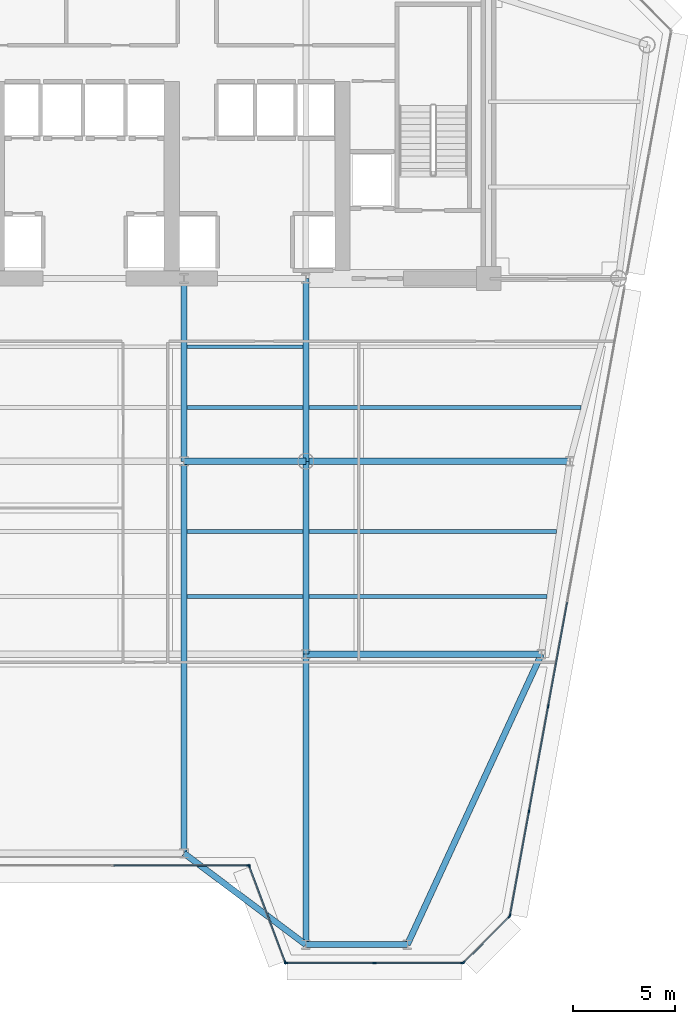
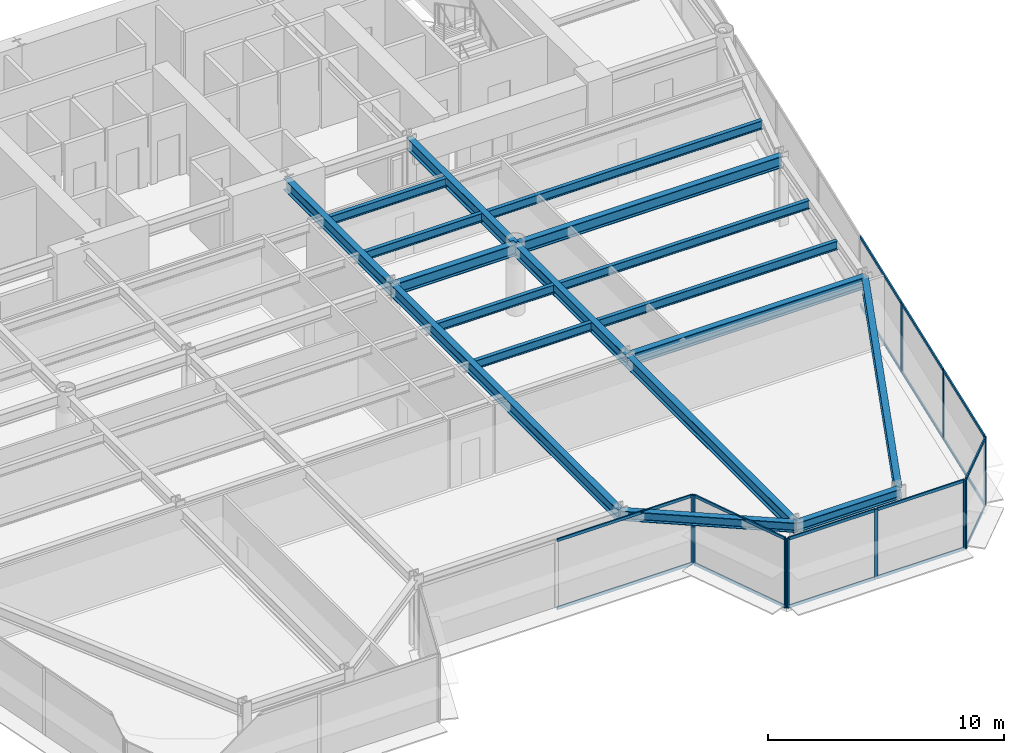
# One storey, part 5 of 17: 27 members, 18 beams, 5 elements without a shape of their own.
"""IFC4 building model written with IfcOpenShell, lengths in metres."""

from ifc_helpers import new_model, si_unit, direction, frame, origin, origin_2d, place, context, subcontext, project, spatial, rectangle, i_section, extrude, source, transform, mapped, material, layer, layer_set, material_profile, profile_set, type_object, element, aggregate, save


model = new_model("IFC4")

# Units and contexts
model_context = context("Model", 3, precision=1e-05, world=origin(), true_north=direction((0.0, 1.0)))
body_context = subcontext(model_context, "Body", "Model", "MODEL_VIEW")
ifc_project = project(units=[si_unit("LENGTHUNIT", "METRE"), si_unit("AREAUNIT", "SQUARE_METRE"), si_unit("VOLUMEUNIT", "CUBIC_METRE"), si_unit("PLANEANGLEUNIT", "RADIAN"), si_unit("MASSUNIT", "GRAM", prefix="KILO")], contexts=[model_context])

# Site, building, storey
site_placement = place(None, origin())
site = spatial("IfcSite", under=ifc_project, at=site_placement, CompositionType="ELEMENT")
building_placement = place(site_placement, origin())
building = spatial("IfcBuilding", under=site, at=building_placement, Name="Vaeldorn Concourse Tower", CompositionType="ELEMENT")
storey_placement = place(building_placement, frame((0.0, 0.0, 165.199951171875)))
storey = spatial("IfcBuildingStorey", under=building, at=storey_placement, Name="L42", CompositionType="ELEMENT", Elevation=165.199951171875)

# Beams
ifc_material_1 = material(Name="Steel S355", Category="steel")
ifc_material_profile_1 = material_profile(ifc_material_1, i_section(OverallWidth=0.300048828125, OverallDepth=0.5, WebThickness=0.014404296875, FlangeThickness=0.028076171875, FilletRadius=0.027099609375, at=origin_2d()), Name="HEB 500")
ifc_profile_set_1 = profile_set([ifc_material_profile_1], Name="Steel S355")
beam_type_1 = type_object("IfcBeamType", Name="BM-SP-HEB500", PredefinedType="SPANDREL", material=ifc_profile_set_1)
shared_shape_1 = source(origin(), body_context, "Body", "SweptSolid", [
    extrude(i_section(OverallWidth=0.300048828125, OverallDepth=0.5, WebThickness=0.014404296875, FlangeThickness=0.028076171875, FilletRadius=0.027099609375, at=origin_2d()), origin(), (0.0, 0.0, 1.0), 5.0),
])
beam_1_placement = place(storey_placement, frame((45.0, 3.699951171875, 3.330078125), z_axis=(1.0, 0.0, 0.0), x_axis=(0.0, 1.0, 0.0)))
element("IfcBeam", 1, at=beam_1_placement, inside=storey, type_object=beam_type_1, Name="Beam BM-L42-C-SF5-C-SF6", PredefinedType="SPANDREL", context=body_context, shape_type="MappedRepresentation", body=[
    mapped(shared_shape_1, transform((0.0, 0.0, 0.0), scale=1.0)),
])
shared_shape_2 = source(origin(), body_context, "Body", "SweptSolid", [
    extrude(i_section(OverallWidth=0.300048828125, OverallDepth=0.5, WebThickness=0.014404296875, FlangeThickness=0.028076171875, FilletRadius=0.027099609375, at=origin_2d()), origin(), (0.0, 0.0, 1.0), 7.5),
])
beam_2_placement = place(storey_placement, frame((39.0, 8.199951171875, 3.330078125), z_axis=(0.8, -0.6, 0.0), x_axis=(0.6, 0.8, 0.0)))
element("IfcBeam", 2, at=beam_2_placement, inside=storey, type_object=beam_type_1, Name="Beam BM-L42-C-SF4-C-SF5", PredefinedType="SPANDREL", context=body_context, shape_type="MappedRepresentation", body=[
    mapped(shared_shape_2, transform((0.0, 0.0, 0.0), scale=1.0)),
])
ifc_material_profile_2 = material_profile(ifc_material_1, i_section(OverallWidth=0.18994140625, OverallDepth=0.449951171875, WebThickness=0.009521484375, FlangeThickness=0.0146484375, FilletRadius=0.02099609375, at=origin_2d()), Name="IPE 450")
ifc_profile_set_2 = profile_set([ifc_material_profile_2], Name="Steel S355")
beam_type_2 = type_object("IfcBeamType", Name="BM-JS-IPE450", PredefinedType="JOIST", material=ifc_profile_set_2)
shared_shape_3 = source(origin(), body_context, "Body", "SweptSolid", [
    extrude(i_section(OverallWidth=0.18994140625, OverallDepth=0.449951171875, WebThickness=0.009521484375, FlangeThickness=0.0146484375, FilletRadius=0.02099609375, at=origin_2d()), origin(), (0.0, 0.0, 1.0), 11.718505859375),
])
beam_3_placement = place(storey_placement, frame((45.14990234375, 20.840087890625, 3.35498046875), z_axis=(1.0, 0.0, 0.0), x_axis=(0.0, 1.0, 0.0)))
element("IfcBeam", 3, at=beam_3_placement, inside=storey, type_object=beam_type_2, Name="Beam JS-L42-E1-208", PredefinedType="JOIST", context=body_context, shape_type="MappedRepresentation", body=[
    mapped(shared_shape_3, transform((0.0, 0.0, 0.0), scale=1.0)),
])
shared_shape_4 = source(origin(), body_context, "Body", "SweptSolid", [
    extrude(i_section(OverallWidth=0.18994140625, OverallDepth=0.449951171875, WebThickness=0.009521484375, FlangeThickness=0.0146484375, FilletRadius=0.02099609375, at=origin_2d()), origin(), (0.0, 0.0, 1.0), 5.7001953125),
])
for number, where, z_axis, x_axis, name in (
    (4, (39.14990234375, 20.840087890625, 3.35498046875), (1.0, 0.0, 0.0), (0.0, 1.0, 0.0), "Beam JS-L42-E2-208"),
    (5, (39.14990234375, 24.0400390625, 3.35498046875), (1.0, 0.0, 0.0), (0.0, 1.0, 0.0), "Beam JS-L42-E2-240"),
    (6, (39.14990234375, 30.139892578125, 3.35498046875), (1.0, 0.0, 0.0), (0.0, 1.0, 0.0), "Beam JS-L42-E2-301"),
    (7, (39.14990234375, 33.139892578125, 3.35498046875), (1.0, 0.0, 0.0), (0.0, 1.0, 0.0), "Beam JS-L42-E2-331"),
):
    element("IfcBeam", number, at=place(storey_placement, frame(where, z_axis=z_axis, x_axis=x_axis)), inside=storey, type_object=beam_type_2, Name=name, PredefinedType="JOIST", context=body_context, shape_type="MappedRepresentation", body=[
        mapped(shared_shape_4, transform((0.0, 0.0, 0.0), scale=1.0)),
    ])
shared_shape_5 = source(origin(), body_context, "Body", "SweptSolid", [
    extrude(i_section(OverallWidth=0.18994140625, OverallDepth=0.449951171875, WebThickness=0.009521484375, FlangeThickness=0.0146484375, FilletRadius=0.02099609375, at=origin_2d()), origin(), (0.0, 0.0, 1.0), 12.190185546875),
])
beam_4_placement = place(storey_placement, frame((45.14990234375, 24.0400390625, 3.35498046875), z_axis=(1.0, 0.0, 0.0), x_axis=(0.0, 1.0, 0.0)))
element("IfcBeam", 8, at=beam_4_placement, inside=storey, type_object=beam_type_2, Name="Beam JS-L42-E1-240", PredefinedType="JOIST", context=body_context, shape_type="MappedRepresentation", body=[
    mapped(shared_shape_5, transform((0.0, 0.0, 0.0), scale=1.0)),
])
shared_shape_6 = source(origin(), body_context, "Body", "SweptSolid", [
    extrude(i_section(OverallWidth=0.18994140625, OverallDepth=0.449951171875, WebThickness=0.009521484375, FlangeThickness=0.0146484375, FilletRadius=0.02099609375, at=origin_2d()), origin(), (0.0, 0.0, 1.0), 13.404052734375),
])
beam_5_placement = place(storey_placement, frame((45.14990234375, 30.139892578125, 3.35498046875), z_axis=(1.0, 0.0, 0.0), x_axis=(0.0, 1.0, 0.0)))
element("IfcBeam", 9, at=beam_5_placement, inside=storey, type_object=beam_type_2, Name="Beam JS-L42-E1-301", PredefinedType="JOIST", context=body_context, shape_type="MappedRepresentation", body=[
    mapped(shared_shape_6, transform((0.0, 0.0, 0.0), scale=1.0)),
])
ifc_material_profile_3 = material_profile(ifc_material_1, i_section(OverallWidth=0.300048828125, OverallDepth=0.60009765625, WebThickness=0.015380859375, FlangeThickness=0.030029296875, FilletRadius=0.027099609375, at=origin_2d()), Name="HEB 600")
ifc_profile_set_3 = profile_set([ifc_material_profile_3], Name="Steel S355")
beam_type_3 = type_object("IfcBeamType", Name="BM-PG-HEB600", PredefinedType="BEAM", material=ifc_profile_set_3)
shared_shape_7 = source(origin(), body_context, "Body", "SweptSolid", [
    extrude(i_section(OverallWidth=0.300048828125, OverallDepth=0.60009765625, WebThickness=0.015380859375, FlangeThickness=0.030029296875, FilletRadius=0.027099609375, at=origin_2d()), origin(), (0.0, 0.0, 1.0), 6.0),
])
beam_6_placement = place(storey_placement, frame((39.0, 27.5, 3.280029296875), z_axis=(1.0, 0.0, 0.0), x_axis=(0.0, 1.0, 0.0)))
element("IfcBeam", 10, at=beam_6_placement, inside=storey, type_object=beam_type_3, Name="Beam BM-L42-C-TW3-C-TW4", PredefinedType="BEAM", context=body_context, shape_type="MappedRepresentation", body=[
    mapped(shared_shape_7, transform((0.0, 0.0, 0.0), scale=1.0)),
])
shared_shape_8 = source(origin(), body_context, "Body", "SweptSolid", [
    extrude(i_section(OverallWidth=0.300048828125, OverallDepth=0.60009765625, WebThickness=0.015380859375, FlangeThickness=0.030029296875, FilletRadius=0.027099609375, at=origin_2d()), origin(), (0.0, 0.0, 1.0), 9.0),
])
for number, where, z_axis, x_axis, name in (
    (11, (39.0, 27.5, 3.280029296875), (0.0, 1.0, 0.0), (-1.0, 0.0, 0.0), "Beam BM-L42-C-TW3-C-FC4"),
    (12, (45.0, 27.5, 3.280029296875), (0.0, 1.0, 0.0), (-1.0, 0.0, 0.0), "Beam BM-L42-C-TW4-C-FC5"),
):
    element("IfcBeam", number, at=place(storey_placement, frame(where, z_axis=z_axis, x_axis=x_axis)), inside=storey, type_object=beam_type_3, Name=name, PredefinedType="BEAM", context=body_context, shape_type="MappedRepresentation", body=[
        mapped(shared_shape_8, transform((0.0, 0.0, 0.0), scale=1.0)),
    ])
shared_shape_9 = source(origin(), body_context, "Body", "SweptSolid", [
    extrude(i_section(OverallWidth=0.300048828125, OverallDepth=0.60009765625, WebThickness=0.015380859375, FlangeThickness=0.030029296875, FilletRadius=0.027099609375, at=origin_2d()), origin(), (0.0, 0.0, 1.0), 13.0),
])
beam_7_placement = place(storey_placement, frame((45.0, 27.5, 3.280029296875), z_axis=(1.0, 0.0, 0.0), x_axis=(0.0, 1.0, 0.0)))
element("IfcBeam", 13, at=beam_7_placement, inside=storey, type_object=beam_type_3, Name="Beam BM-L42-C-TW4-C-FLE1", PredefinedType="BEAM", context=body_context, shape_type="MappedRepresentation", body=[
    mapped(shared_shape_9, transform((0.0, 0.0, 0.0), scale=1.0)),
])
shared_shape_10 = source(origin(), body_context, "Body", "SweptSolid", [
    extrude(i_section(OverallWidth=0.300048828125, OverallDepth=0.60009765625, WebThickness=0.015380859375, FlangeThickness=0.030029296875, FilletRadius=0.027099609375, at=origin_2d()), origin(), (0.0, 0.0, 1.0), 11.60009765625),
])
beam_8_placement = place(storey_placement, frame((45.0, 18.0, 3.280029296875), z_axis=(1.0, 0.0, 0.0), x_axis=(0.0, 1.0, 0.0)))
element("IfcBeam", 14, at=beam_8_placement, inside=storey, type_object=beam_type_3, Name="Beam BM-L42-C-TW6-C-FLE2", PredefinedType="BEAM", context=body_context, shape_type="MappedRepresentation", body=[
    mapped(shared_shape_10, transform((0.0, 0.0, 0.0), scale=1.0)),
])
shared_shape_11 = source(origin(), body_context, "Body", "SweptSolid", [
    extrude(i_section(OverallWidth=0.300048828125, OverallDepth=0.60009765625, WebThickness=0.015380859375, FlangeThickness=0.030029296875, FilletRadius=0.027099609375, at=origin_2d()), origin(), (0.0, 0.0, 1.0), 9.5),
])
beam_9_placement = place(storey_placement, frame((45.0, 18.0, 3.280029296875), z_axis=(0.0, 1.0, 0.0), x_axis=(-1.0, 0.0, 0.0)))
element("IfcBeam", 15, at=beam_9_placement, inside=storey, type_object=beam_type_3, Name="Beam BM-L42-C-TW6-C-TW4", PredefinedType="BEAM", context=body_context, shape_type="MappedRepresentation", body=[
    mapped(shared_shape_11, transform((0.0, 0.0, 0.0), scale=1.0)),
])
shared_shape_12 = source(origin(), body_context, "Body", "SweptSolid", [
    extrude(i_section(OverallWidth=0.300048828125, OverallDepth=0.60009765625, WebThickness=0.015380859375, FlangeThickness=0.030029296875, FilletRadius=0.027099609375, at=origin_2d()), origin(), (0.0, 0.0, 1.0), 15.749755859375),
])
beam_10_placement = place(storey_placement, frame((50.0, 3.699951171875, 3.280029296875), z_axis=(0.419062109495, 0.907957569706, 0.0), x_axis=(-0.907957569706, 0.419062109495, 0.0)))
element("IfcBeam", 16, at=beam_10_placement, inside=storey, type_object=beam_type_3, Name="Beam BM-L42-C-SF6-C-FLE2", PredefinedType="BEAM", context=body_context, shape_type="MappedRepresentation", body=[
    mapped(shared_shape_12, transform((0.0, 0.0, 0.0), scale=1.0)),
])
shared_shape_13 = source(origin(), body_context, "Body", "SweptSolid", [
    extrude(i_section(OverallWidth=0.300048828125, OverallDepth=0.60009765625, WebThickness=0.015380859375, FlangeThickness=0.030029296875, FilletRadius=0.027099609375, at=origin_2d()), origin(), (0.0, 0.0, 1.0), 14.300048828125),
])
beam_11_placement = place(storey_placement, frame((45.0, 3.699951171875, 3.280029296875), z_axis=(0.0, 1.0, 0.0), x_axis=(-1.0, 0.0, 0.0)))
element("IfcBeam", 17, at=beam_11_placement, inside=storey, type_object=beam_type_3, Name="Beam BM-L42-C-SF5-C-TW6", PredefinedType="BEAM", context=body_context, shape_type="MappedRepresentation", body=[
    mapped(shared_shape_13, transform((0.0, 0.0, 0.0), scale=1.0)),
])
shared_shape_14 = source(origin(), body_context, "Body", "SweptSolid", [
    extrude(i_section(OverallWidth=0.300048828125, OverallDepth=0.60009765625, WebThickness=0.015380859375, FlangeThickness=0.030029296875, FilletRadius=0.027099609375, at=origin_2d()), origin(), (0.0, 0.0, 1.0), 19.300048828125),
])
beam_12_placement = place(storey_placement, frame((39.0, 8.199951171875, 3.280029296875), z_axis=(0.0, 1.0, 0.0), x_axis=(-1.0, 0.0, 0.0)))
element("IfcBeam", 18, at=beam_12_placement, inside=storey, type_object=beam_type_3, Name="Beam BM-L42-C-SF4-C-TW3", PredefinedType="BEAM", context=body_context, shape_type="MappedRepresentation", body=[
    mapped(shared_shape_14, transform((0.0, 0.0, 0.0), scale=1.0)),
])

# Curtain wall, members
ifc_material_2 = material(Name="Anodised Bronze Aluminium", Category="aluminium")
ifc_layer = layer(ifc_material_2, 0.18994140625)
ifc_layer_set = layer_set([ifc_layer], Name="Anodised Bronze Aluminium")
curtain_wall_type = type_object("IfcCurtainWallType", Name="CW-SYS-03", PredefinedType="NOTDEFINED", material=ifc_layer_set)
curtain_wall_1_placement = place(storey_placement, origin())
curtain_wall_1 = element("IfcCurtainWall", 19, at=curtain_wall_1_placement, inside=storey, type_object=curtain_wall_type, Name="Unitised Curtain Wall CW-L42-E04-1", PredefinedType="NOTDEFINED")
ifc_material_profile_4 = material_profile(ifc_material_2, rectangle(XDim=0.06494140625, YDim=0.14990234375, at=origin_2d()), Name="CWT 65x150")
ifc_profile_set_4 = profile_set([ifc_material_profile_4], Name="Anodised Bronze Aluminium")
member_type_1 = type_object("IfcMemberType", Name="CWT-BRONZE-150", PredefinedType="USERDEFINED", material=ifc_profile_set_4)
shared_shape_15 = source(origin(), body_context, "Body", "SweptSolid", [
    extrude(rectangle(XDim=0.06494140625, YDim=0.14990234375, at=origin_2d()), origin(), (0.0, 0.0, 1.0), 4.996337890625),
])
member_1_placement = place(storey_placement, frame((42.222900390625, 7.5390625, 0.032470703125), z_axis=(0.351134151405, -0.936325161318, 0.0), x_axis=(0.936325161318, 0.351134151405, 0.0)))
member_1 = element("IfcMember", 20, at=member_1_placement, type_object=member_type_1, Name="CW-03 transom 1.1", ObjectType="TRANSOM", PredefinedType="USERDEFINED", context=body_context, shape_type="MappedRepresentation", body=[
    mapped(shared_shape_15, transform((0.0, 0.0, 0.0), scale=1.0)),
])
member_2_placement = place(storey_placement, frame((42.222900390625, 7.5390625, 3.547607421875), z_axis=(0.351134151405, -0.936325161318, 0.0), x_axis=(0.936325161318, 0.351134151405, 0.0)))
member_2 = element("IfcMember", 21, at=member_2_placement, type_object=member_type_1, Name="CW-03 transom 1.2", ObjectType="TRANSOM", PredefinedType="USERDEFINED", context=body_context, shape_type="MappedRepresentation", body=[
    mapped(shared_shape_15, transform((0.0, 0.0, 0.0), scale=1.0)),
])

curtain_wall_2_placement = place(storey_placement, origin())
curtain_wall_2 = element("IfcCurtainWall", 22, at=curtain_wall_2_placement, inside=storey, type_object=curtain_wall_type, Name="Unitised Curtain Wall CW-L42-E03-1", PredefinedType="NOTDEFINED")
shared_shape_16 = source(origin(), body_context, "Body", "SweptSolid", [
    extrude(rectangle(XDim=0.06494140625, YDim=0.14990234375, at=origin_2d()), origin(), (0.0, 0.0, 1.0), 6.6025390625),
])
member_3_placement = place(storey_placement, frame((35.532470703125, 7.60009765625, 0.032470703125), z_axis=(1.0, 0.0, 0.0), x_axis=(0.0, 1.0, 0.0)))
member_3 = element("IfcMember", 23, at=member_3_placement, type_object=member_type_1, Name="CW-03 transom 2.1", ObjectType="TRANSOM", PredefinedType="USERDEFINED", context=body_context, shape_type="MappedRepresentation", body=[
    mapped(shared_shape_16, transform((0.0, 0.0, 0.0), scale=1.0)),
])
member_4_placement = place(storey_placement, frame((35.532470703125, 7.60009765625, 3.547607421875), z_axis=(1.0, 0.0, 0.0), x_axis=(0.0, 1.0, 0.0)))
member_4 = element("IfcMember", 24, at=member_4_placement, type_object=member_type_1, Name="CW-03 transom 2.2", ObjectType="TRANSOM", PredefinedType="USERDEFINED", context=body_context, shape_type="MappedRepresentation", body=[
    mapped(shared_shape_16, transform((0.0, 0.0, 0.0), scale=1.0)),
])

curtain_wall_3_placement = place(storey_placement, origin())
curtain_wall_3 = element("IfcCurtainWall", 25, at=curtain_wall_3_placement, inside=storey, type_object=curtain_wall_type, Name="Unitised Curtain Wall CW-L42-E06-1", PredefinedType="NOTDEFINED")
shared_shape_17 = source(origin(), body_context, "Body", "SweptSolid", [
    extrude(rectangle(XDim=0.06494140625, YDim=0.14990234375, at=origin_2d()), origin(), (0.0, 0.0, 1.0), 3.12255859375),
])
member_5_placement = place(storey_placement, frame((52.79296875, 2.845947265625, 0.032470703125), z_axis=(0.707106781187, 0.707106781187, 0.0), x_axis=(-0.707106781187, 0.707106781187, 0.0)))
member_5 = element("IfcMember", 26, at=member_5_placement, type_object=member_type_1, Name="CW-03 transom 1.1", ObjectType="TRANSOM", PredefinedType="USERDEFINED", context=body_context, shape_type="MappedRepresentation", body=[
    mapped(shared_shape_17, transform((0.0, 0.0, 0.0), scale=1.0)),
])
member_6_placement = place(storey_placement, frame((52.79296875, 2.845947265625, 3.547607421875), z_axis=(0.707106781187, 0.707106781187, 0.0), x_axis=(-0.707106781187, 0.707106781187, 0.0)))
member_6 = element("IfcMember", 27, at=member_6_placement, type_object=member_type_1, Name="CW-03 transom 1.2", ObjectType="TRANSOM", PredefinedType="USERDEFINED", context=body_context, shape_type="MappedRepresentation", body=[
    mapped(shared_shape_17, transform((0.0, 0.0, 0.0), scale=1.0)),
])

curtain_wall_4_placement = place(storey_placement, origin())
curtain_wall_4 = element("IfcCurtainWall", 28, at=curtain_wall_4_placement, inside=storey, type_object=curtain_wall_type, Name="Unitised Curtain Wall CW-L42-E05-1", PredefinedType="NOTDEFINED")
shared_shape_18 = source(origin(), body_context, "Body", "SweptSolid", [
    extrude(rectangle(XDim=0.06494140625, YDim=0.14990234375, at=origin_2d()), origin(), (0.0, 0.0, 1.0), 4.276123046875),
])
member_7_placement = place(storey_placement, frame((44.06494140625, 2.800048828125, 0.032470703125), z_axis=(1.0, 0.0, 0.0), x_axis=(0.0, 1.0, 0.0)))
member_7 = element("IfcMember", 29, at=member_7_placement, type_object=member_type_1, Name="CW-03 transom 1.1", ObjectType="TRANSOM", PredefinedType="USERDEFINED", context=body_context, shape_type="MappedRepresentation", body=[
    mapped(shared_shape_18, transform((0.0, 0.0, 0.0), scale=1.0)),
])
member_8_placement = place(storey_placement, frame((44.06494140625, 2.800048828125, 3.547607421875), z_axis=(1.0, 0.0, 0.0), x_axis=(0.0, 1.0, 0.0)))
member_8 = element("IfcMember", 30, at=member_8_placement, type_object=member_type_1, Name="CW-03 transom 1.2", ObjectType="TRANSOM", PredefinedType="USERDEFINED", context=body_context, shape_type="MappedRepresentation", body=[
    mapped(shared_shape_18, transform((0.0, 0.0, 0.0), scale=1.0)),
])
shared_shape_19 = source(origin(), body_context, "Body", "SweptSolid", [
    extrude(rectangle(XDim=0.06494140625, YDim=0.14990234375, at=origin_2d()), origin(), (0.0, 0.0, 1.0), 4.27587890625),
])
member_9_placement = place(storey_placement, frame((48.406005859375, 2.800048828125, 0.032470703125), z_axis=(1.0, 0.0, 0.0), x_axis=(0.0, 1.0, 0.0)))
member_9 = element("IfcMember", 31, at=member_9_placement, type_object=member_type_1, Name="CW-03 transom 2.1", ObjectType="TRANSOM", PredefinedType="USERDEFINED", context=body_context, shape_type="MappedRepresentation", body=[
    mapped(shared_shape_19, transform((0.0, 0.0, 0.0), scale=1.0)),
])
member_10_placement = place(storey_placement, frame((48.406005859375, 2.800048828125, 3.547607421875), z_axis=(1.0, 0.0, 0.0), x_axis=(0.0, 1.0, 0.0)))
member_10 = element("IfcMember", 32, at=member_10_placement, type_object=member_type_1, Name="CW-03 transom 2.2", ObjectType="TRANSOM", PredefinedType="USERDEFINED", context=body_context, shape_type="MappedRepresentation", body=[
    mapped(shared_shape_19, transform((0.0, 0.0, 0.0), scale=1.0)),
])

curtain_wall_5_placement = place(storey_placement, origin())
curtain_wall_5 = element("IfcCurtainWall", 33, at=curtain_wall_5_placement, inside=storey, type_object=curtain_wall_type, Name="Unitised Curtain Wall CW-L42-E07-1", PredefinedType="NOTDEFINED")
shared_shape_20 = source(origin(), body_context, "Body", "SweptSolid", [
    extrude(rectangle(XDim=0.06494140625, YDim=0.14990234375, at=origin_2d()), origin(), (0.0, 0.0, 1.0), 5.151611328125),
])
member_11_placement = place(storey_placement, frame((55.05859375, 5.1640625, 0.032470703125), z_axis=(0.179473445995, 0.983762818053, 0.0), x_axis=(-0.983762818053, 0.179473445995, 0.0)))
member_11 = element("IfcMember", 34, at=member_11_placement, type_object=member_type_1, Name="CW-03 transom 1.1", ObjectType="TRANSOM", PredefinedType="USERDEFINED", context=body_context, shape_type="MappedRepresentation", body=[
    mapped(shared_shape_20, transform((0.0, 0.0, 0.0), scale=1.0)),
])
member_12_placement = place(storey_placement, frame((55.05859375, 5.1640625, 3.547607421875), z_axis=(0.179473445995, 0.983762818053, 0.0), x_axis=(-0.983762818053, 0.179473445995, 0.0)))
member_12 = element("IfcMember", 35, at=member_12_placement, type_object=member_type_1, Name="CW-03 transom 1.2", ObjectType="TRANSOM", PredefinedType="USERDEFINED", context=body_context, shape_type="MappedRepresentation", body=[
    mapped(shared_shape_20, transform((0.0, 0.0, 0.0), scale=1.0)),
])
shared_shape_21 = source(origin(), body_context, "Body", "SweptSolid", [
    extrude(rectangle(XDim=0.06494140625, YDim=0.14990234375, at=origin_2d()), origin(), (0.0, 0.0, 1.0), 5.18408203125),
])
member_13_placement = place(storey_placement, frame((55.994873046875, 10.2958984375, 0.032470703125), z_axis=(0.179432467646, 0.983770293084, 0.0), x_axis=(-0.983770293084, 0.179432467646, 0.0)))
member_13 = element("IfcMember", 36, at=member_13_placement, type_object=member_type_1, Name="CW-03 transom 2.1", ObjectType="TRANSOM", PredefinedType="USERDEFINED", context=body_context, shape_type="MappedRepresentation", body=[
    mapped(shared_shape_21, transform((0.0, 0.0, 0.0), scale=1.0)),
])
member_14_placement = place(storey_placement, frame((55.994873046875, 10.2958984375, 3.547607421875), z_axis=(0.179432467646, 0.983770293084, 0.0), x_axis=(-0.983770293084, 0.179432467646, 0.0)))
member_14 = element("IfcMember", 37, at=member_14_placement, type_object=member_type_1, Name="CW-03 transom 2.2", ObjectType="TRANSOM", PredefinedType="USERDEFINED", context=body_context, shape_type="MappedRepresentation", body=[
    mapped(shared_shape_21, transform((0.0, 0.0, 0.0), scale=1.0)),
])
shared_shape_22 = source(origin(), body_context, "Body", "SweptSolid", [
    extrude(rectangle(XDim=0.06494140625, YDim=0.14990234375, at=origin_2d()), origin(), (0.0, 0.0, 1.0), 5.184326171875),
])
member_15_placement = place(storey_placement, frame((56.936767578125, 15.459716796875, 0.032470703125), z_axis=(0.179424154775, 0.983771809254, 0.0), x_axis=(-0.983771809254, 0.179424154775, 0.0)))
member_15 = element("IfcMember", 38, at=member_15_placement, type_object=member_type_1, Name="CW-03 transom 3.1", ObjectType="TRANSOM", PredefinedType="USERDEFINED", context=body_context, shape_type="MappedRepresentation", body=[
    mapped(shared_shape_22, transform((0.0, 0.0, 0.0), scale=1.0)),
])
member_16_placement = place(storey_placement, frame((56.936767578125, 15.459716796875, 3.547607421875), z_axis=(0.179424154775, 0.983771809254, 0.0), x_axis=(-0.983771809254, 0.179424154775, 0.0)))
member_16 = element("IfcMember", 39, at=member_16_placement, type_object=member_type_1, Name="CW-03 transom 3.2", ObjectType="TRANSOM", PredefinedType="USERDEFINED", context=body_context, shape_type="MappedRepresentation", body=[
    mapped(shared_shape_22, transform((0.0, 0.0, 0.0), scale=1.0)),
])

# Member
ifc_material_profile_5 = material_profile(ifc_material_2, rectangle(XDim=0.06494140625, YDim=0.169921875, at=origin_2d()), Name="CWM 65x170")
ifc_profile_set_5 = profile_set([ifc_material_profile_5], Name="Anodised Bronze Aluminium")
member_type_2 = type_object("IfcMemberType", Name="CWM-BRONZE-170", PredefinedType="MULLION", material=ifc_profile_set_5)
shared_shape_23 = source(origin(), body_context, "Body", "SweptSolid", [
    extrude(rectangle(XDim=0.06494140625, YDim=0.169921875, at=origin_2d()), origin(), (0.0, 0.0, 1.0), 3.580078125),
])
member_17_placement = place(storey_placement, frame((42.16748046875, 7.60009765625, 0.0), z_axis=(0.0, 0.0, 1.0), x_axis=(0.0, 1.0, 0.0)))
member_17 = element("IfcMember", 40, at=member_17_placement, type_object=member_type_2, Name="CW-03 mullion 3", PredefinedType="MULLION", context=body_context, shape_type="MappedRepresentation", body=[
    mapped(shared_shape_23, transform((0.0, 0.0, 0.0), scale=1.0)),
])

aggregate(curtain_wall_2, [member_17, member_3, member_4])

member_18_placement = place(storey_placement, frame((42.21142578125, 7.569580078125, 0.0), z_axis=(0.0, 0.0, 1.0), x_axis=(0.936329177566, 0.351123441595, 0.0)))
member_18 = element("IfcMember", 41, at=member_18_placement, type_object=member_type_2, Name="CW-03 mullion 1", PredefinedType="MULLION", context=body_context, shape_type="MappedRepresentation", body=[
    mapped(shared_shape_23, transform((0.0, 0.0, 0.0), scale=1.0)),
])

member_19_placement = place(storey_placement, frame((43.988525390625, 2.830322265625, 0.0), z_axis=(0.0, 0.0, 1.0), x_axis=(0.936329177566, 0.351123441595, 0.0)))
member_19 = element("IfcMember", 42, at=member_19_placement, type_object=member_type_2, Name="CW-03 mullion 2", PredefinedType="MULLION", context=body_context, shape_type="MappedRepresentation", body=[
    mapped(shared_shape_23, transform((0.0, 0.0, 0.0), scale=1.0)),
])

aggregate(curtain_wall_1, [member_18, member_19, member_1, member_2])

member_20_placement = place(storey_placement, frame((44.032470703125, 2.800048828125, 0.0), z_axis=(0.0, 0.0, 1.0), x_axis=(0.0, 1.0, 0.0)))
member_20 = element("IfcMember", 43, at=member_20_placement, type_object=member_type_2, Name="CW-03 mullion 1", PredefinedType="MULLION", context=body_context, shape_type="MappedRepresentation", body=[
    mapped(shared_shape_23, transform((0.0, 0.0, 0.0), scale=1.0)),
])

member_21_placement = place(storey_placement, frame((48.37353515625, 2.800048828125, 0.0), z_axis=(0.0, 0.0, 1.0), x_axis=(0.0, 1.0, 0.0)))
member_21 = element("IfcMember", 44, at=member_21_placement, type_object=member_type_2, Name="CW-03 mullion 2", PredefinedType="MULLION", context=body_context, shape_type="MappedRepresentation", body=[
    mapped(shared_shape_23, transform((0.0, 0.0, 0.0), scale=1.0)),
])

member_22_placement = place(storey_placement, frame((52.714599609375, 2.800048828125, 0.0), z_axis=(0.0, 0.0, 1.0), x_axis=(0.0, 1.0, 0.0)))
member_22 = element("IfcMember", 45, at=member_22_placement, type_object=member_type_2, Name="CW-03 mullion 3", PredefinedType="MULLION", context=body_context, shape_type="MappedRepresentation", body=[
    mapped(shared_shape_23, transform((0.0, 0.0, 0.0), scale=1.0)),
])

aggregate(curtain_wall_4, [member_20, member_21, member_22, member_7, member_8, member_9, member_10])

member_23_placement = place(storey_placement, frame((52.77001953125, 2.822998046875, 0.0), z_axis=(0.0, 0.0, 1.0), x_axis=(-0.707106781187, 0.707106781187, 0.0)))
member_23 = element("IfcMember", 46, at=member_23_placement, type_object=member_type_2, Name="CW-03 mullion 1", PredefinedType="MULLION", context=body_context, shape_type="MappedRepresentation", body=[
    mapped(shared_shape_23, transform((0.0, 0.0, 0.0), scale=1.0)),
])

member_24_placement = place(storey_placement, frame((55.02392578125, 5.076904296875, 0.0), z_axis=(0.0, 0.0, 1.0), x_axis=(-0.707106781187, 0.707106781187, 0.0)))
member_24 = element("IfcMember", 47, at=member_24_placement, type_object=member_type_2, Name="CW-03 mullion 2", PredefinedType="MULLION", context=body_context, shape_type="MappedRepresentation", body=[
    mapped(shared_shape_23, transform((0.0, 0.0, 0.0), scale=1.0)),
])

aggregate(curtain_wall_3, [member_23, member_24, member_5, member_6])

member_25_placement = place(storey_placement, frame((55.052734375, 5.132080078125, 0.0), z_axis=(0.0, 0.0, 1.0), x_axis=(-0.983767841325, 0.179445909331, 0.0)))
member_25 = element("IfcMember", 48, at=member_25_placement, type_object=member_type_2, Name="CW-03 mullion 1", PredefinedType="MULLION", context=body_context, shape_type="MappedRepresentation", body=[
    mapped(shared_shape_23, transform((0.0, 0.0, 0.0), scale=1.0)),
])

member_26_placement = place(storey_placement, frame((55.989013671875, 10.263916015625, 0.0), z_axis=(0.0, 0.0, 1.0), x_axis=(-0.983767841325, 0.179445909331, 0.0)))
member_26 = element("IfcMember", 49, at=member_26_placement, type_object=member_type_2, Name="CW-03 mullion 2", PredefinedType="MULLION", context=body_context, shape_type="MappedRepresentation", body=[
    mapped(shared_shape_23, transform((0.0, 0.0, 0.0), scale=1.0)),
])

member_27_placement = place(storey_placement, frame((56.930908203125, 15.427734375, 0.0), z_axis=(0.0, 0.0, 1.0), x_axis=(-0.983767841325, 0.179445909331, 0.0)))
member_27 = element("IfcMember", 50, at=member_27_placement, type_object=member_type_2, Name="CW-03 mullion 3", PredefinedType="MULLION", context=body_context, shape_type="MappedRepresentation", body=[
    mapped(shared_shape_23, transform((0.0, 0.0, 0.0), scale=1.0)),
])

aggregate(curtain_wall_5, [member_25, member_26, member_27, member_11, member_12, member_13, member_14, member_15, member_16])

save(model, "model.ifc")
